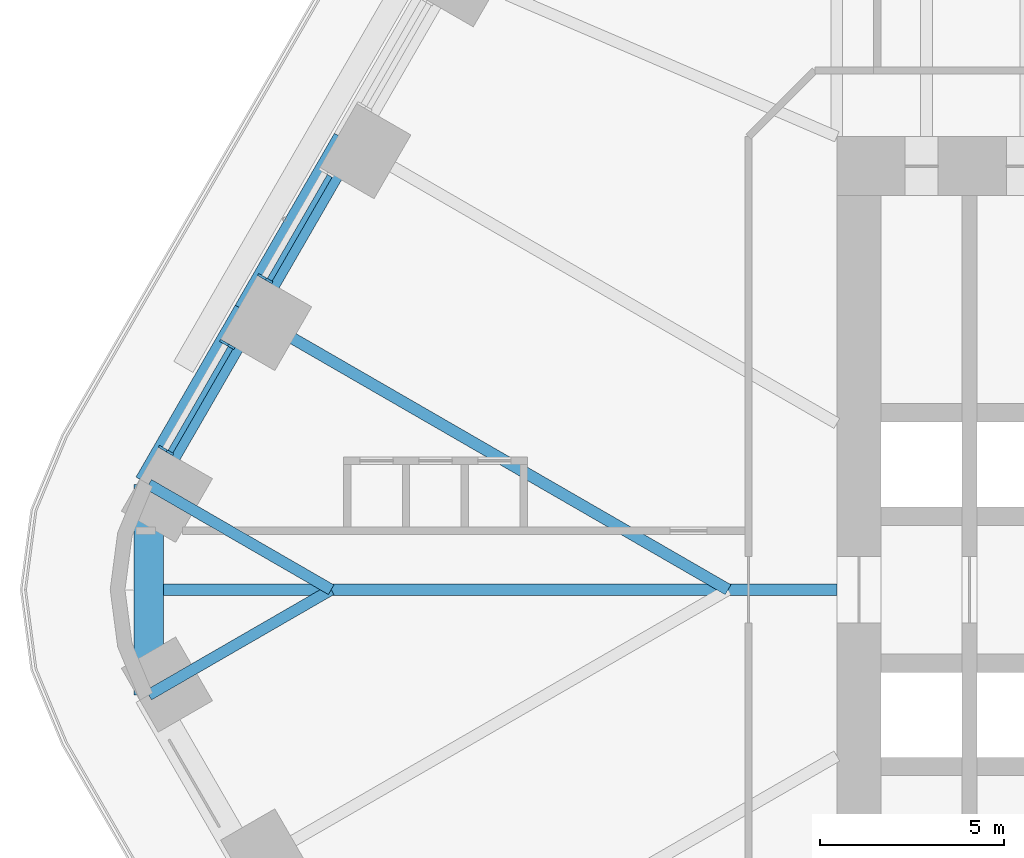
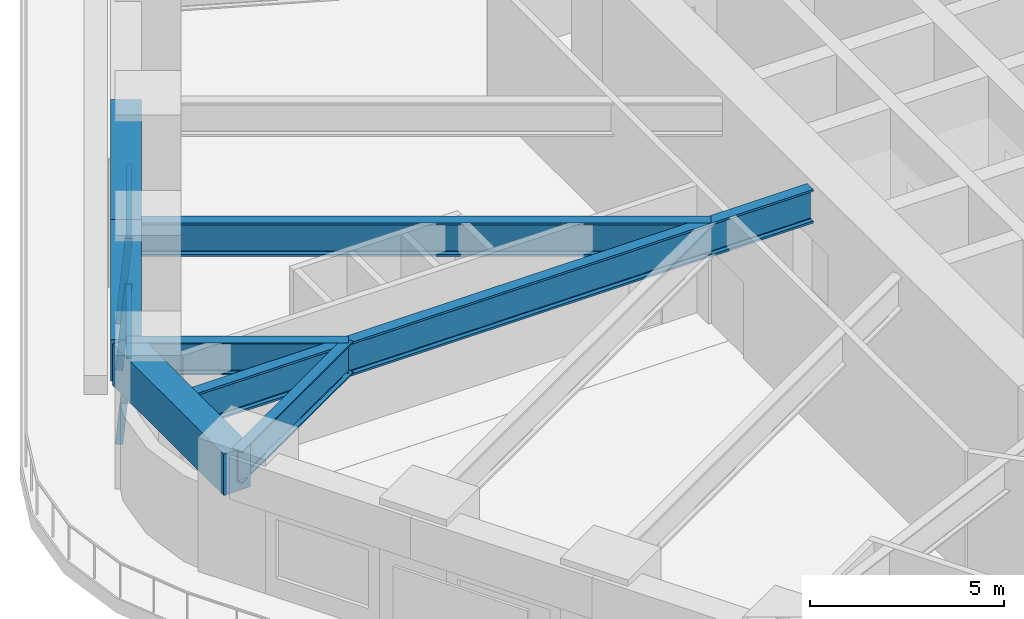
# One storey, part 6 of 23: 7 beams, 5 members, 2 elements without a shape of their own.
"""IFC4 building model written with IfcOpenShell, lengths in metres."""

import ifcopenshell
import ifcopenshell.guid

model = None  # the IFC model being written
_history = None  # IfcOwnerHistory: only IFC2X3 demands one
_inside = {}  # id of a spatial element -> (the spatial element, [elements in it])
_under = {}  # id of a project, library or spatial element -> (it, [spatial elements below it])
_declared = {}  # id of a project -> (the project, [libraries it declares])
_typed = {}  # id of a type object -> (the type object, [elements of that type])
_made_of = {}  # id of a material, layer set ... -> (it, [elements and type objects made of it])


def new_model(schema):
    """Start an empty IFC model of exactly this schema.

    Asked for "IFC4X3", IfcOpenShell would pick the latest addendum, in which some entities
    have other attributes; the version numbers below select the first issue.
    IFC2X3 requires an IfcOwnerHistory on every rooted entity: one is made here for all.
    """
    global model, _history
    if schema == "IFC4X3":
        model = ifcopenshell.file(schema_version=(4, 3, 0, 0))
    else:
        model = ifcopenshell.file(schema=schema)
    _inside.clear()
    _under.clear()
    _declared.clear()
    _typed.clear()
    _made_of.clear()
    _history = None
    if model.schema == "IFC2X3":
        org = make("IfcOrganization", Name="unknown")
        user = make(
            "IfcPersonAndOrganization",
            ThePerson=make("IfcPerson", FamilyName="unknown"),
            TheOrganization=org,
        )
        app = make(
            "IfcApplication",
            ApplicationDeveloper=org,
            Version="unknown",
            ApplicationFullName="unknown",
            ApplicationIdentifier="unknown",
        )
        _history = make(
            "IfcOwnerHistory",
            OwningUser=user,
            OwningApplication=app,
            ChangeAction="ADDED",
            CreationDate=0,
        )
    return model


def make(cls, **values):
    """One entity of the class cls with the attributes given. An attribute that is None is left unset."""
    return model.create_entity(
        cls, **{name: value for name, value in values.items() if value is not None}
    )


def rooted(cls, **values):
    """An entity with a GlobalId (a new one), such as an element, a storey or a relation."""
    return make(cls, GlobalId=ifcopenshell.guid.new(), OwnerHistory=_history, **values)


def si_unit(unit_type, name, prefix=None):
    """IfcSIUnit, for example si_unit("LENGTHUNIT", "METRE", prefix="MILLI")."""
    return make("IfcSIUnit", UnitType=unit_type, Prefix=prefix, Name=name)


def assignment(units):
    """IfcUnitAssignment: the units of a project."""
    return None if units is None else make("IfcUnitAssignment", Units=units)


def point(xyz):
    """IfcCartesianPoint."""
    return None if xyz is None else make("IfcCartesianPoint", Coordinates=xyz)


def direction(xyz):
    """IfcDirection."""
    return None if xyz is None else make("IfcDirection", DirectionRatios=xyz)


def frame(location, z_axis=None, x_axis=None):
    """IfcAxis2Placement3D, a coordinate frame: its origin and axes. An axis left out is left unset."""
    return make(
        "IfcAxis2Placement3D",
        Location=point(location),
        Axis=direction(z_axis),
        RefDirection=direction(x_axis),
    )


def frame_2d(location, x_axis=None):
    """IfcAxis2Placement2D, a coordinate frame in the plane: its origin and x axis."""
    return make(
        "IfcAxis2Placement2D", Location=point(location), RefDirection=direction(x_axis)
    )


def origin():
    """The frame at (0, 0, 0) with its axes left unset."""
    return frame((0.0, 0.0, 0.0))


def origin_2d():
    """The frame at (0, 0) in the plane with its x axis left unset."""
    return frame_2d((0.0, 0.0))


def place(relative_to, where):
    """IfcLocalPlacement: puts the frame where relative to a parent placement (None: the world)."""
    return make(
        "IfcLocalPlacement", PlacementRelTo=relative_to, RelativePlacement=where
    )


def context(
    kind, dimensions, precision=None, world=None, true_north=None, identifier=None
):
    """IfcGeometricRepresentationContext, for example the 3D "Model" context."""
    return make(
        "IfcGeometricRepresentationContext",
        ContextIdentifier=identifier,
        ContextType=kind,
        CoordinateSpaceDimension=dimensions,
        Precision=precision,
        WorldCoordinateSystem=world,
        TrueNorth=true_north,
    )


def subcontext(parent, identifier, kind, view, scale=None):
    """IfcGeometricRepresentationSubContext, for example "Body" below "Model"."""
    return make(
        "IfcGeometricRepresentationSubContext",
        ContextIdentifier=identifier,
        ContextType=kind,
        ParentContext=parent,
        TargetScale=scale,
        TargetView=view,
    )


def project(units=None, contexts=None):
    """IfcProject with its units and contexts."""
    return rooted(
        "IfcProject",
        Name="project",
        RepresentationContexts=contexts,
        UnitsInContext=assignment(units),
    )


def spatial(cls, under=None, at=None, **own):
    """A site, building, storey or space (cls), placed at a placement, below another one or the project."""
    s = rooted(cls, ObjectPlacement=at, **own)
    if under is not None:
        _under.setdefault(under.id(), (under, []))[1].append(s)
    return s


def profile(cls, at=None, kind="AREA", **sizes):
    """A parametric profile (cls). Its sizes go by their IFC names, for example OverallWidth=200.0."""
    return make(cls, ProfileType=kind, Position=at, **sizes)


def rectangle(**sizes):
    """IfcRectangleProfileDef."""
    return profile("IfcRectangleProfileDef", **sizes)


def i_section(**sizes):
    """IfcIShapeProfileDef."""
    return profile("IfcIShapeProfileDef", **sizes)


def extrude(swept, where, along, depth):
    """IfcExtrudedAreaSolid: the profile swept, set in the frame where, extruded along a direction by depth."""
    return make(
        "IfcExtrudedAreaSolid",
        SweptArea=swept,
        Position=where,
        ExtrudedDirection=direction(along),
        Depth=depth,
    )


def shape(context_of_items, identifier, shape_type, items):
    """IfcShapeRepresentation: the items that make up one representation, for example the "Body"."""
    return make(
        "IfcShapeRepresentation",
        ContextOfItems=context_of_items,
        RepresentationIdentifier=identifier,
        RepresentationType=shape_type,
        Items=items,
    )


def material(Name=None, Category=None):
    """IfcMaterial."""
    return make("IfcMaterial", Name=Name, Category=Category)


def material_profile(
    of_material, cross_section, Name=None, Category=None, Priority=None
):
    """IfcMaterialProfile: a cross section and its material."""
    return make(
        "IfcMaterialProfile",
        Name=Name,
        Material=of_material,
        Profile=cross_section,
        Priority=Priority,
        Category=Category,
    )


def profile_set(profiles, Name=None, composite=None):
    """IfcMaterialProfileSet."""
    return make(
        "IfcMaterialProfileSet",
        Name=Name,
        MaterialProfiles=profiles,
        CompositeProfile=composite,
    )


def made_of(thing, what):
    """Note that an element or type object is made of a material, layer set ...; save() writes the relation."""
    if what is not None:
        _made_of.setdefault(what.id(), (what, []))[1].append(thing)
    return thing


def type_object(cls, material=None, **own):
    """A type object (cls), such as IfcWallType, which elements share."""
    return made_of(rooted(cls, **own), material)


def element(
    cls,
    number,
    at=None,
    inside=None,
    cuts=None,
    type_object=None,
    material=None,
    context=None,
    identifier="Body",
    shape_type=None,
    held_by="IfcProductDefinitionShape",
    body=None,
    shapes=None,
    **own,
):
    """One element of the class cls, such as IfcWall. Its Tag is "e" and its number.

    at: its placement. inside: the storey or other place that contains it. cuts: it is an
    opening in that element (IfcRelVoidsElement). A single representation is given by context,
    identifier, shape_type and body (its items); several are given by shapes. held_by: the class
    of the entity that holds the representations. save() writes the other relations.
    """
    e = rooted(cls, Tag="e%d" % number, ObjectPlacement=at, **own)
    if body is not None:
        shapes = [shape(context, identifier, shape_type, body)]
    if shapes is not None:
        e.Representation = make(held_by, Representations=shapes)
    if inside is not None:
        _inside.setdefault(inside.id(), (inside, []))[1].append(e)
    if cuts is not None:
        rooted(
            "IfcRelVoidsElement", RelatingBuildingElement=cuts, RelatedOpeningElement=e
        )
    if type_object is not None:
        _typed.setdefault(type_object.id(), (type_object, []))[1].append(e)
    return made_of(e, material)


def aggregate(whole, parts):
    """IfcRelAggregates: a whole, such as a stair, and the parts it consists of."""
    return rooted("IfcRelAggregates", RelatingObject=whole, RelatedObjects=parts)


def save(model, path):
    """Write the relations noted so far, then the file.

    IfcRelAggregates (storeys below a building ...), IfcRelContainedInSpatialStructure (elements
    in a storey), IfcRelDefinesByType, IfcRelAssociatesMaterial and IfcRelDeclares: one each for
    every whole, place, type object, material and project.
    """
    for whole, parts in _under.values():
        aggregate(whole, parts)
    for where, things in _inside.values():
        rooted(
            "IfcRelContainedInSpatialStructure",
            RelatedElements=things,
            RelatingStructure=where,
        )
    for kind, things in _typed.values():
        rooted("IfcRelDefinesByType", RelatedObjects=things, RelatingType=kind)
    for what, things in _made_of.values():
        rooted("IfcRelAssociatesMaterial", RelatedObjects=things, RelatingMaterial=what)
    for by, libraries in _declared.values():
        rooted("IfcRelDeclares", RelatingContext=by, RelatedDefinitions=libraries)
    model.write(path)


model = new_model("IFC4")

# Units and contexts
model_context = context("Model", 3, precision=1e-05, world=origin(), true_north=direction((0.0, 1.0)))
body_context = subcontext(model_context, "Body", "Model", "MODEL_VIEW")
ifc_project = project(units=[si_unit("LENGTHUNIT", "METRE"), si_unit("AREAUNIT", "SQUARE_METRE"), si_unit("VOLUMEUNIT", "CUBIC_METRE"), si_unit("PLANEANGLEUNIT", "RADIAN"), si_unit("MASSUNIT", "GRAM", prefix="KILO")], contexts=[model_context])

# Site, building, storey
site_placement = place(None, origin())
site = spatial("IfcSite", under=ifc_project, at=site_placement, CompositionType="ELEMENT")
building_placement = place(site_placement, origin())
building = spatial("IfcBuilding", under=site, at=building_placement, Name="Tarfa Lantern Tower", CompositionType="ELEMENT")
storey_placement = place(building_placement, frame((0.0, 0.0, 78.10009765625)))
storey = spatial("IfcBuildingStorey", under=building, at=storey_placement, Name="L17", CompositionType="ELEMENT", Elevation=78.10009765625)

# Curtain wall, member
ifc_material_1 = material(Name="Aluminium framed curtain wall", Category="aluminium")
curtain_wall_type = type_object("IfcCurtainWallType", Name="CW1 CANTED GLAZING LOW ZONE 2700", PredefinedType="USERDEFINED", material=ifc_material_1)
curtain_wall_1_placement = place(storey_placement, origin())
curtain_wall_1 = element("IfcCurtainWall", 1, at=curtain_wall_1_placement, inside=storey, type_object=curtain_wall_type, Name="CW1 NW L17", ObjectType="CURTAIN WALL", PredefinedType="USERDEFINED")
ifc_material_2 = material(Name="Aluminium mullion", Category="aluminium")
ifc_material_profile_1 = material_profile(ifc_material_2, rectangle(XDim=0.06494140625, YDim=0.199951171875, at=origin_2d()), Name="AL MULLION 65x200")
ifc_profile_set_1 = profile_set([ifc_material_profile_1], Name="Aluminium mullion")
member_type_1 = type_object("IfcMemberType", Name="CWM1 MULLION 65x200", PredefinedType="MULLION", material=ifc_profile_set_1)
member_1_placement = place(storey_placement, frame((-34.230712890625, 8.5107421875, 0.0), z_axis=(0.07986442134, -0.046099868913, 0.99573916077), x_axis=(0.499919672301, 0.866071776036, 0.0)))
member_1 = element("IfcMember", 2, at=member_1_placement, type_object=member_type_1, Name="CW1 mullion 2", PredefinedType="MULLION", context=body_context, shape_type="SweptSolid", body=[
    extrude(rectangle(XDim=0.06494140625, YDim=0.199951171875, at=origin_2d()), origin(), (0.0, 0.0, 1.0), 2.71142578125),
])

# Curtain wall, members
curtain_wall_2_placement = place(storey_placement, origin())
curtain_wall_2 = element("IfcCurtainWall", 3, at=curtain_wall_2_placement, inside=storey, type_object=curtain_wall_type, Name="CW1 NW L17", ObjectType="CURTAIN WALL", PredefinedType="USERDEFINED")
member_2_placement = place(storey_placement, frame((-35.26318359375, 6.722412109375, 0.0), z_axis=(0.07986442134, -0.046099868913, 0.99573916077), x_axis=(0.499919672301, 0.866071776036, 0.0)))
member_2 = element("IfcMember", 4, at=member_2_placement, type_object=member_type_1, Name="CW1 mullion 1", PredefinedType="MULLION", context=body_context, shape_type="SweptSolid", body=[
    extrude(rectangle(XDim=0.06494140625, YDim=0.199951171875, at=origin_2d()), origin(), (0.0, 0.0, 1.0), 2.71142578125),
])
member_3_placement = place(storey_placement, frame((-36.9248046875, 3.84423828125, 0.0), z_axis=(0.079774955866, -0.04610020023, 0.995746317068), x_axis=(0.500342721131, 0.865827443207, 0.0)))
member_3 = element("IfcMember", 5, at=member_3_placement, type_object=member_type_1, Name="CW1 mullion 2", PredefinedType="MULLION", context=body_context, shape_type="SweptSolid", body=[
    extrude(rectangle(XDim=0.06494140625, YDim=0.199951171875, at=origin_2d()), origin(), (0.0, 0.0, 1.0), 2.71142578125),
])

# Member
ifc_material_3 = material(Name="Aluminium transom", Category="aluminium")
ifc_material_profile_2 = material_profile(ifc_material_3, rectangle(XDim=0.14990234375, YDim=0.06494140625, at=origin_2d()), Name="AL TRANSOM 150x65")
ifc_profile_set_2 = profile_set([ifc_material_profile_2], Name="Aluminium transom")
member_type_2 = type_object("IfcMemberType", Name="CWT1 TRANSOM 150x65", PredefinedType="USERDEFINED", material=ifc_profile_set_2)
member_4_placement = place(storey_placement, frame((-32.37109375, 11.237548828125, 2.66748046875), z_axis=(-0.500022939057, -0.866012159509, 0.0), x_axis=(0.866012159509, -0.500022939057, 0.0)))
member_4 = element("IfcMember", 6, at=member_4_placement, type_object=member_type_2, Name="CW1 transom 1.2", ObjectType="TRANSOM", PredefinedType="USERDEFINED", context=body_context, shape_type="SweptSolid", body=[
    extrude(rectangle(XDim=0.14990234375, YDim=0.06494140625, at=origin_2d()), origin(), (0.0, 0.0, 1.0), 3.258544921875),
])

aggregate(curtain_wall_1, [member_1, member_4])

member_5_placement = place(storey_placement, frame((-35.0654296875, 6.57080078125, 2.66748046875), z_axis=(-0.500022939057, -0.866012159509, 0.0), x_axis=(0.866012159509, -0.500022939057, 0.0)))
member_5 = element("IfcMember", 7, at=member_5_placement, type_object=member_type_2, Name="CW1 transom 1.2", ObjectType="TRANSOM", PredefinedType="USERDEFINED", context=body_context, shape_type="SweptSolid", body=[
    extrude(rectangle(XDim=0.14990234375, YDim=0.06494140625, at=origin_2d()), origin(), (0.0, 0.0, 1.0), 3.258544921875),
])

aggregate(curtain_wall_2, [member_2, member_3, member_5])

# Beams
ifc_material_4 = material(Name="Concrete C80/95", Category="concrete")
ifc_material_profile_3 = material_profile(ifc_material_4, rectangle(XDim=0.800048828125, YDim=1.300048828125, at=origin_2d()), Name="RC 800x1300")
ifc_profile_set_3 = profile_set([ifc_material_profile_3], Name="Concrete C80/95")
beam_type_1 = type_object("IfcBeamType", Name="EB1 RC 800x1300", PredefinedType="SPANDREL", material=ifc_profile_set_3)
beam_1_placement = place(storey_placement, frame((-31.896728515625, 12.193359375, 3.349853515625), z_axis=(-0.499998287579, -0.866026392449, 0.0), x_axis=(0.866026392449, -0.499998287579, 0.0)))
element("IfcBeam", 8, at=beam_1_placement, inside=storey, type_object=beam_type_1, Name="Edge beam NW4", PredefinedType="SPANDREL", context=body_context, shape_type="SweptSolid", body=[
    extrude(rectangle(XDim=0.800048828125, YDim=1.300048828125, at=origin_2d()), origin(), (0.0, 0.0, 1.0), 5.388671875),
])
beam_2_placement = place(storey_placement, frame((-34.591064453125, 7.526611328125, 3.349853515625), z_axis=(-0.500017906299, -0.866015065331, 0.0), x_axis=(0.866015065331, -0.500017906299, 0.0)))
element("IfcBeam", 9, at=beam_2_placement, inside=storey, type_object=beam_type_1, Name="Edge beam NW5", PredefinedType="SPANDREL", context=body_context, shape_type="SweptSolid", body=[
    extrude(rectangle(XDim=0.800048828125, YDim=1.300048828125, at=origin_2d()), origin(), (0.0, 0.0, 1.0), 5.388427734375),
])
beam_3_placement = place(storey_placement, frame((-37.285400390625, 2.860107421875, 3.349853515625), z_axis=(0.0, -1.0, 0.0), x_axis=(1.0, 0.0, 0.0)))
element("IfcBeam", 10, at=beam_3_placement, inside=storey, type_object=beam_type_1, Name="Edge beam NW6", PredefinedType="SPANDREL", context=body_context, shape_type="SweptSolid", body=[
    extrude(rectangle(XDim=0.800048828125, YDim=1.300048828125, at=origin_2d()), origin(), (0.0, 0.0, 1.0), 5.72021484375),
])
ifc_material_5 = material(Name="Steel S460M", Category="steel")
ifc_material_profile_4 = material_profile(ifc_material_5, i_section(OverallWidth=0.302001953125, OverallDepth=1.008056640625, WebThickness=0.02099609375, FlangeThickness=0.0400390625, FilletRadius=0.030029296875, at=origin_2d()), Name="UB1016x305x349")
ifc_profile_set_4 = profile_set([ifc_material_profile_4], Name="Steel S460M")
beam_type_2 = type_object("IfcBeamType", Name="UB1016x305x349", PredefinedType="BEAM", material=ifc_profile_set_4)
for number, where, z_axis, x_axis, name in (
    (11, (-37.285400390625, 2.860107421875, 3.495849609375), (0.866025668288, -0.499999541866, 0.0), (0.499999541866, 0.866025668288, 0.0), "Floor beam NW6"),
    (12, (-37.285400390625, -2.860107421875, 3.495849609375), (0.866025668288, 0.499999541866, 0.0), (-0.499999541866, 0.866025668288, 0.0), "Floor beam SW0"),
):
    element("IfcBeam", number, at=place(storey_placement, frame(where, z_axis=z_axis, x_axis=x_axis)), inside=storey, type_object=beam_type_2, Name=name, PredefinedType="BEAM", context=body_context, shape_type="SweptSolid", body=[
        extrude(i_section(OverallWidth=0.302001953125, OverallDepth=1.008056640625, WebThickness=0.02099609375, FlangeThickness=0.0400390625, FilletRadius=0.030029296875, at=origin_2d()), origin(), (0.0, 0.0, 1.0), 5.72021484375),
    ])
ifc_material_profile_5 = material_profile(ifc_material_5, i_section(OverallWidth=0.314208984375, OverallDepth=1.055908203125, WebThickness=0.035888671875, FlangeThickness=0.06396484375, FilletRadius=0.030029296875, at=origin_2d()), Name="UB1016x305x584")
ifc_profile_set_5 = profile_set([ifc_material_profile_5], Name="Steel S460M")
beam_type_3 = type_object("IfcBeamType", Name="UB1016x305x584", PredefinedType="BEAM", material=ifc_profile_set_5)
beam_4_placement = place(storey_placement, frame((-18.60009765625, 0.0, 3.471923828125), z_axis=(-1.0, 0.0, 0.0), x_axis=(0.0, -1.0, 0.0)))
element("IfcBeam", 13, at=beam_4_placement, inside=storey, type_object=beam_type_3, Name="Hip girder W", PredefinedType="BEAM", context=body_context, shape_type="SweptSolid", body=[
    extrude(i_section(OverallWidth=0.314208984375, OverallDepth=1.055908203125, WebThickness=0.035888671875, FlangeThickness=0.06396484375, FilletRadius=0.030029296875, at=origin_2d()), origin(), (0.0, 0.0, 1.0), 18.685302734375),
])
beam_5_placement = place(storey_placement, frame((-34.591064453125, 7.526611328125, 3.471923828125), z_axis=(0.86602785945, -0.499995746638, 0.0), x_axis=(0.499995746638, 0.86602785945, 0.0)))
element("IfcBeam", 14, at=beam_5_placement, inside=storey, type_object=beam_type_3, Name="Floor beam NW5", PredefinedType="BEAM", context=body_context, shape_type="SweptSolid", body=[
    extrude(i_section(OverallWidth=0.314208984375, OverallDepth=1.055908203125, WebThickness=0.035888671875, FlangeThickness=0.06396484375, FilletRadius=0.030029296875, at=origin_2d()), origin(), (0.0, 0.0, 1.0), 15.053466796875),
])

save(model, "model.ifc")
